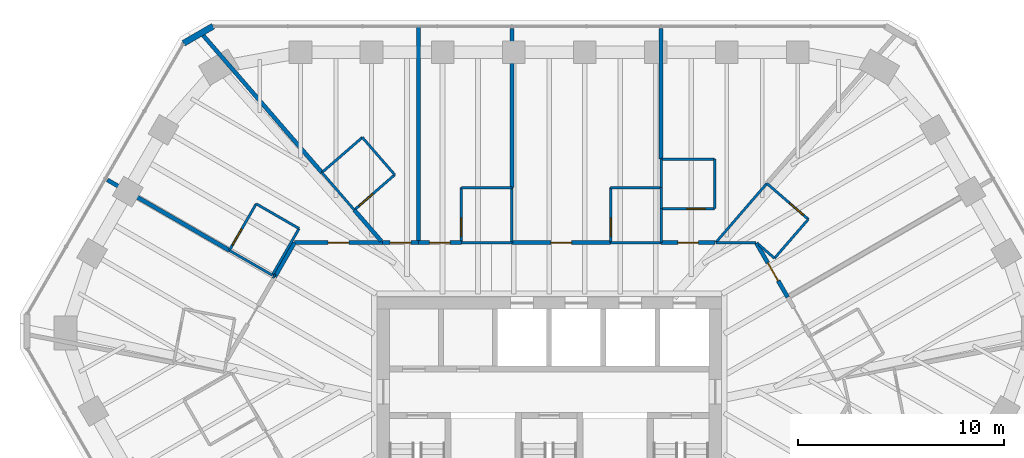
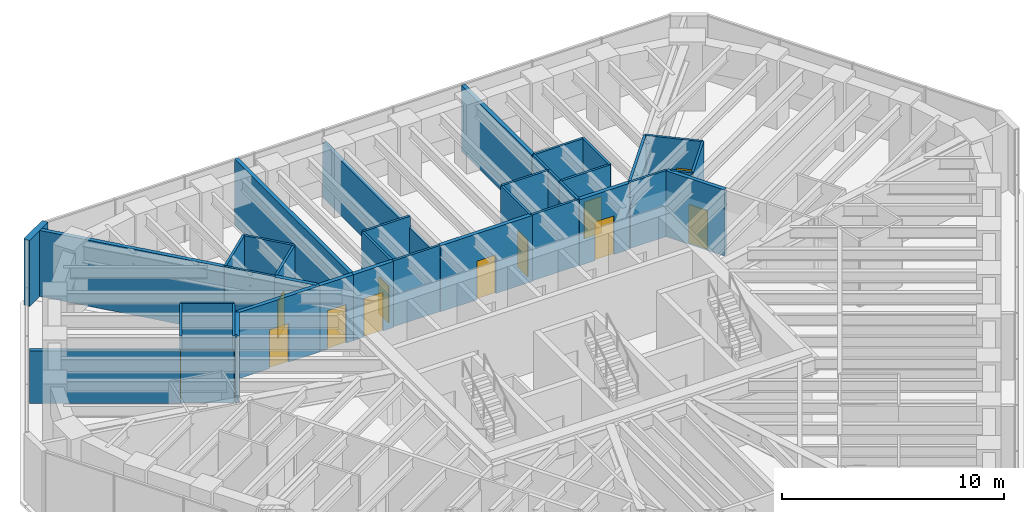
# One storey, part 12 of 14: 41 walls, 12 doors, 12 openings.
"""IFC4 building model written with IfcOpenShell, lengths in metres."""

from ifc_helpers import new_model, si_unit, direction, frame, frame_2d, origin, place, context, subcontext, project, spatial, rectangle, extrude, material, layer, layer_set, type_object, element, fill, save


model = new_model("IFC4")

# Units and contexts
model_context = context("Model", 3, precision=1e-05, world=origin(), true_north=direction((0.0, 1.0)))
body_context = subcontext(model_context, "Body", "Model", "MODEL_VIEW")
ifc_project = project(units=[si_unit("LENGTHUNIT", "METRE"), si_unit("AREAUNIT", "SQUARE_METRE"), si_unit("VOLUMEUNIT", "CUBIC_METRE"), si_unit("PLANEANGLEUNIT", "RADIAN"), si_unit("MASSUNIT", "GRAM", prefix="KILO")], contexts=[model_context])

# Site, building, storey
site_placement = place(None, origin())
site = spatial("IfcSite", under=ifc_project, at=site_placement, CompositionType="ELEMENT")
building_placement = place(site_placement, origin())
building = spatial("IfcBuilding", under=site, at=building_placement, Name="Sandreach Pilgrim Tower", CompositionType="ELEMENT")
storey_placement = place(building_placement, frame((0.0, 0.0, 283.60009765625)))
storey = spatial("IfcBuildingStorey", under=building, at=storey_placement, Name="L71", CompositionType="ELEMENT", Elevation=283.60009765625)

# Wall
ifc_material_1 = material(Name="Moisture-resistant gypsum board on steel studs", Category="steel")
ifc_layer_1 = layer(ifc_material_1, 0.1201171875)
ifc_layer_set_1 = layer_set([ifc_layer_1], Name="Bathroom partition 120")
wall_type_1 = type_object("IfcWallType", Name="Bathroom partition 120", PredefinedType="PARTITIONING", material=ifc_layer_set_1)
wall_1_placement = place(storey_placement, frame((-15.510009765625, 8.949951171875, 0.0), z_axis=(0.0, 0.0, 1.0), x_axis=(0.866202511239, -0.499693115345, 0.0)))
element("IfcWall", 1, at=wall_1_placement, inside=storey, type_object=wall_type_1, Name="Bathroom partition L71-014", PredefinedType="PARTITIONING", context=body_context, shape_type="SweptSolid", body=[
    extrude(rectangle(XDim=2.4013671875, YDim=0.1201171875, at=frame_2d((1.20068359375, 0.0))), origin(), (0.0, 0.0, 1.0), 2.8779296875),
])

# Wall, opening, door
wall_2_placement = place(storey_placement, frame((-14.2099609375, 11.2099609375, 0.0), z_axis=(0.0, 0.0, 1.0), x_axis=(-0.498627694264, -0.866816256489, 0.0)))
wall_2 = element("IfcWall", 2, at=wall_2_placement, inside=storey, type_object=wall_type_1, Name="Bathroom partition L71-021", PredefinedType="PARTITIONING", context=body_context, shape_type="SweptSolid", body=[
    extrude(rectangle(XDim=2.607177734375, YDim=0.1201171875, at=frame_2d((1.3037109375, 0.0))), origin(), (0.0, 0.0, 1.0), 3.639892578125),
])
opening_1_placement = place(wall_2_placement, frame((1.4072265625, 0.0, 0.0)))
opening_1 = element("IfcOpeningElement", 3, at=opening_1_placement, cuts=wall_2, Name="Opening D09-16B", PredefinedType="OPENING", context=body_context, shape_type="SweptSolid", body=[
    extrude(rectangle(XDim=0.89990234375, YDim=2.030029296875, at=frame_2d((0.449951171875, 1.01513671875))), frame((0.0, 0.06005859375, 0.0), z_axis=(0.0, -1.0, 0.0), x_axis=(1.0, 0.0, 0.0)), (0.0, 0.0, 1.0), 0.1201171875),
])
ifc_material_2 = material(Name="Timber door, steel frame", Category="steel")
door_type_1 = type_object("IfcDoorType", Name="Bathroom door", OperationType="SINGLE_SWING_LEFT", PredefinedType="DOOR", material=ifc_material_2)
door_1_placement = place(opening_1_placement, origin())
door_1 = element("IfcDoor", 4, at=door_1_placement, inside=storey, type_object=door_type_1, Name="Door 7116B", OperationType="SINGLE_SWING_RIGHT", OverallHeight=2.030029296875, OverallWidth=0.89990234375, PredefinedType="DOOR", context=body_context, shape_type="SweptSolid", body=[
    extrude(rectangle(XDim=0.89990234375, YDim=2.030029296875, at=frame_2d((0.449951171875, 1.01513671875))), frame((0.0, 0.02490234375, 0.0), z_axis=(0.0, -1.0, 0.0), x_axis=(1.0, 0.0, 0.0)), (0.0, 0.0, 1.0), 0.050048828125),
])
fill(opening_1, door_1)

# Walls
wall_3_placement = place(storey_placement, frame((-13.429931640625, 7.75, 0.0), z_axis=(0.0, 0.0, 1.0), x_axis=(0.498557331759, 0.866856728041, 0.0)))
element("IfcWall", 5, at=wall_3_placement, inside=storey, type_object=wall_type_1, Name="Bathroom partition L71-024", PredefinedType="PARTITIONING", context=body_context, shape_type="SweptSolid", body=[
    extrude(rectangle(XDim=2.607177734375, YDim=0.1201171875, at=frame_2d((1.3037109375, 0.0))), origin(), (0.0, 0.0, 1.0), 3.639892578125),
])
wall_4_placement = place(storey_placement, frame((-12.1298828125, 10.010009765625, 0.0), z_axis=(0.0, 0.0, 1.0), x_axis=(-0.866202511239, 0.499693115345, 0.0)))
element("IfcWall", 6, at=wall_4_placement, inside=storey, type_object=wall_type_1, Name="Bathroom partition L71-028", PredefinedType="PARTITIONING", context=body_context, shape_type="SweptSolid", body=[
    extrude(rectangle(XDim=2.4013671875, YDim=0.1201171875, at=frame_2d((1.20068359375, 0.0))), origin(), (0.0, 0.0, 1.0), 3.639892578125),
])
wall_5_placement = place(storey_placement, frame((-11.02197265625, 12.728271484375, 0.0), z_axis=(0.0, 0.0, 1.0), x_axis=(0.654005869514, -0.756489472921, 0.0)))
element("IfcWall", 7, at=wall_5_placement, inside=storey, type_object=wall_type_1, Name="Bathroom partition L71-032", PredefinedType="PARTITIONING", context=body_context, shape_type="SweptSolid", body=[
    extrude(rectangle(XDim=2.403564453125, YDim=0.1201171875, at=frame_2d((1.20166015625, 0.0))), origin(), (0.0, 0.0, 1.0), 3.639892578125),
])

# Wall, opening, door
wall_6_placement = place(storey_placement, frame((-9.449951171875, 10.909912109375, 0.0), z_axis=(0.0, 0.0, 1.0), x_axis=(0.753482987084, 0.657467404649, 0.0)))
wall_6 = element("IfcWall", 8, at=wall_6_placement, inside=storey, type_object=wall_type_1, Name="Bathroom partition L71-035", PredefinedType="PARTITIONING", context=body_context, shape_type="SweptSolid", body=[
    extrude(rectangle(XDim=2.601318359375, YDim=0.1201171875, at=frame_2d((1.30078125, 0.0))), origin(), (0.0, 0.0, 1.0), 3.639892578125),
])
opening_2_placement = place(wall_6_placement, frame((0.300048828125, 0.0, 0.0)))
opening_2 = element("IfcOpeningElement", 9, at=opening_2_placement, cuts=wall_6, Name="Opening D09-01B", PredefinedType="OPENING", context=body_context, shape_type="SweptSolid", body=[
    extrude(rectangle(XDim=0.89990234375, YDim=2.030029296875, at=frame_2d((0.449951171875, 1.01513671875))), frame((0.0, 0.06005859375, 0.0), z_axis=(0.0, -1.0, 0.0), x_axis=(1.0, 0.0, 0.0)), (0.0, 0.0, 1.0), 0.1201171875),
])
door_2_placement = place(opening_2_placement, origin())
door_2 = element("IfcDoor", 10, at=door_2_placement, inside=storey, type_object=door_type_1, Name="Door 7101B", OperationType="SINGLE_SWING_LEFT", OverallHeight=2.030029296875, OverallWidth=0.89990234375, PredefinedType="DOOR", context=body_context, shape_type="SweptSolid", body=[
    extrude(rectangle(XDim=0.89990234375, YDim=2.030029296875, at=frame_2d((0.449951171875, 1.01513671875))), frame((0.0, 0.02490234375, 0.0), z_axis=(0.0, -1.0, 0.0), x_axis=(1.0, 0.0, 0.0)), (0.0, 0.0, 1.0), 0.050048828125),
])
fill(opening_2, door_2)

# Walls
wall_7_placement = place(storey_placement, frame((-9.06005859375, 14.429931640625, 0.0), z_axis=(0.0, 0.0, 1.0), x_axis=(-0.755437535555, -0.655220672655, 0.0)))
element("IfcWall", 11, at=wall_7_placement, inside=storey, type_object=wall_type_1, Name="Bathroom partition L71-037", PredefinedType="PARTITIONING", context=body_context, shape_type="SweptSolid", body=[
    extrude(rectangle(XDim=2.594482421875, YDim=0.1201171875, at=frame_2d((1.29736328125, 0.0))), origin(), (0.0, 0.0, 1.0), 3.639892578125),
])
wall_8_placement = place(storey_placement, frame((-7.489990234375, 12.6201171875, 0.0), z_axis=(0.0, 0.0, 1.0), x_axis=(-0.655302876176, 0.755366229372, 0.0)))
element("IfcWall", 12, at=wall_8_placement, inside=storey, type_object=wall_type_1, Name="Bathroom partition L71-041", PredefinedType="PARTITIONING", context=body_context, shape_type="SweptSolid", body=[
    extrude(rectangle(XDim=2.39599609375, YDim=0.1201171875, at=frame_2d((1.197998046875, 0.0))), origin(), (0.0, 0.0, 1.0), 3.639892578125),
])
wall_9_placement = place(storey_placement, frame((-4.260009765625, 9.330078125, 0.0), z_axis=(0.0, 0.0, 1.0), x_axis=(1.0, 0.0, 0.0)))
element("IfcWall", 13, at=wall_9_placement, inside=storey, type_object=wall_type_1, Name="Bathroom partition L71-046", PredefinedType="PARTITIONING", context=body_context, shape_type="SweptSolid", body=[
    extrude(rectangle(XDim=2.449951171875, YDim=0.1201171875, at=frame_2d((1.22509765625, 0.0))), origin(), (0.0, 0.0, 1.0), 3.639892578125),
])

# Wall, opening, door
wall_10_placement = place(storey_placement, frame((-4.260009765625, 12.0, 0.0), z_axis=(0.0, 0.0, 1.0), x_axis=(0.0, -1.0, 0.0)))
wall_10 = element("IfcWall", 14, at=wall_10_placement, inside=storey, type_object=wall_type_1, Name="Bathroom partition L71-047", PredefinedType="PARTITIONING", context=body_context, shape_type="SweptSolid", body=[
    extrude(rectangle(XDim=2.669921875, YDim=0.1201171875, at=frame_2d((1.3349609375, 0.0))), origin(), (0.0, 0.0, 1.0), 3.639892578125),
])
opening_3_placement = place(wall_10_placement, frame((1.469970703125, 0.0, 0.0)))
opening_3 = element("IfcOpeningElement", 15, at=opening_3_placement, cuts=wall_10, Name="Opening D09-02B", PredefinedType="OPENING", context=body_context, shape_type="SweptSolid", body=[
    extrude(rectangle(XDim=0.89990234375, YDim=2.030029296875, at=frame_2d((0.449951171875, 1.01513671875))), frame((0.0, 0.06005859375, 0.0), z_axis=(0.0, -1.0, 0.0), x_axis=(1.0, 0.0, 0.0)), (0.0, 0.0, 1.0), 0.1201171875),
])
door_3_placement = place(opening_3_placement, origin())
door_3 = element("IfcDoor", 16, at=door_3_placement, inside=storey, type_object=door_type_1, Name="Door 7102B", OperationType="SINGLE_SWING_RIGHT", OverallHeight=2.030029296875, OverallWidth=0.89990234375, PredefinedType="DOOR", context=body_context, shape_type="SweptSolid", body=[
    extrude(rectangle(XDim=0.89990234375, YDim=2.030029296875, at=frame_2d((0.449951171875, 1.01513671875))), frame((0.0, 0.02490234375, 0.0), z_axis=(0.0, -1.0, 0.0), x_axis=(1.0, 0.0, 0.0)), (0.0, 0.0, 1.0), 0.050048828125),
])
fill(opening_3, door_3)

# Walls
wall_11_placement = place(storey_placement, frame((-1.81005859375, 12.0, 0.0), z_axis=(0.0, 0.0, 1.0), x_axis=(-1.0, 0.0, 0.0)))
element("IfcWall", 17, at=wall_11_placement, inside=storey, type_object=wall_type_1, Name="Bathroom partition L71-054", PredefinedType="PARTITIONING", context=body_context, shape_type="SweptSolid", body=[
    extrude(rectangle(XDim=2.449951171875, YDim=0.1201171875, at=frame_2d((1.22509765625, 0.0))), origin(), (0.0, 0.0, 1.0), 3.639892578125),
])
wall_12_placement = place(storey_placement, frame((-1.81005859375, 12.0, 0.0), z_axis=(0.0, 0.0, 1.0), x_axis=(0.0, -1.0, 0.0)))
element("IfcWall", 18, at=wall_12_placement, inside=storey, type_object=wall_type_1, Name="Bathroom partition L71-055", PredefinedType="PARTITIONING", context=body_context, shape_type="SweptSolid", body=[
    extrude(rectangle(XDim=2.669921875, YDim=0.1201171875, at=frame_2d((1.3349609375, 0.0))), origin(), (0.0, 0.0, 1.0), 3.022705078125),
])

# Wall, opening, door
wall_13_placement = place(storey_placement, frame((2.97998046875, 12.0, 0.0), z_axis=(0.0, 0.0, 1.0), x_axis=(0.0, -1.0, 0.0)))
wall_13 = element("IfcWall", 19, at=wall_13_placement, inside=storey, type_object=wall_type_1, Name="Bathroom partition L71-068", PredefinedType="PARTITIONING", context=body_context, shape_type="SweptSolid", body=[
    extrude(rectangle(XDim=2.669921875, YDim=0.1201171875, at=frame_2d((1.3349609375, 0.0))), origin(), (0.0, 0.0, 1.0), 3.639892578125),
])
opening_4_placement = place(wall_13_placement, frame((1.469970703125, 0.0, 0.0)))
opening_4 = element("IfcOpeningElement", 20, at=opening_4_placement, cuts=wall_13, Name="Opening D09-03B", PredefinedType="OPENING", context=body_context, shape_type="SweptSolid", body=[
    extrude(rectangle(XDim=0.89990234375, YDim=2.030029296875, at=frame_2d((0.449951171875, 1.01513671875))), frame((0.0, 0.06005859375, 0.0), z_axis=(0.0, -1.0, 0.0), x_axis=(1.0, 0.0, 0.0)), (0.0, 0.0, 1.0), 0.1201171875),
])
door_4_placement = place(opening_4_placement, origin())
door_4 = element("IfcDoor", 21, at=door_4_placement, inside=storey, type_object=door_type_1, Name="Door 7103B", OperationType="SINGLE_SWING_RIGHT", OverallHeight=2.030029296875, OverallWidth=0.89990234375, PredefinedType="DOOR", context=body_context, shape_type="SweptSolid", body=[
    extrude(rectangle(XDim=0.89990234375, YDim=2.030029296875, at=frame_2d((0.449951171875, 1.01513671875))), frame((0.0, 0.02490234375, 0.0), z_axis=(0.0, -1.0, 0.0), x_axis=(1.0, 0.0, 0.0)), (0.0, 0.0, 1.0), 0.050048828125),
])
fill(opening_4, door_4)

# Walls
wall_14_placement = place(storey_placement, frame((5.429931640625, 9.330078125, 0.0), z_axis=(0.0, 0.0, 1.0), x_axis=(-1.0, 0.0, 0.0)))
element("IfcWall", 22, at=wall_14_placement, inside=storey, type_object=wall_type_1, Name="Bathroom partition L71-074", PredefinedType="PARTITIONING", context=body_context, shape_type="SweptSolid", body=[
    extrude(rectangle(XDim=2.449951171875, YDim=0.1201171875, at=frame_2d((1.22509765625, 0.0))), origin(), (0.0, 0.0, 1.0), 3.639892578125),
])
wall_15_placement = place(storey_placement, frame((5.429931640625, 10.97998046875, 0.0), z_axis=(0.0, 0.0, 1.0), x_axis=(0.0, -1.0, 0.0)))
element("IfcWall", 23, at=wall_15_placement, inside=storey, type_object=wall_type_1, Name="Bathroom partition L71-075", PredefinedType="PARTITIONING", context=body_context, shape_type="SweptSolid", body=[
    extrude(rectangle(XDim=1.64990234375, YDim=0.1201171875, at=frame_2d((0.824951171875, 0.0))), origin(), (0.0, 0.0, 1.0), 3.639892578125),
])

# Wall, opening, door
wall_16_placement = place(storey_placement, frame((5.429931640625, 10.97998046875, 0.0), z_axis=(0.0, 0.0, 1.0), x_axis=(1.0, 0.0, 0.0)))
wall_16 = element("IfcWall", 24, at=wall_16_placement, inside=storey, type_object=wall_type_1, Name="Bathroom partition L71-076", PredefinedType="PARTITIONING", context=body_context, shape_type="SweptSolid", body=[
    extrude(rectangle(XDim=2.60009765625, YDim=0.1201171875, at=frame_2d((1.300048828125, 0.0))), origin(), (0.0, 0.0, 1.0), 3.639892578125),
])
opening_5_placement = place(wall_16_placement, frame((1.25, 0.0, 0.0)))
opening_5 = element("IfcOpeningElement", 25, at=opening_5_placement, cuts=wall_16, Name="Opening D09-04B", PredefinedType="OPENING", context=body_context, shape_type="SweptSolid", body=[
    extrude(rectangle(XDim=0.89990234375, YDim=2.030029296875, at=frame_2d((0.449951171875, 1.01513671875))), frame((0.0, 0.06005859375, 0.0), z_axis=(0.0, -1.0, 0.0), x_axis=(1.0, 0.0, 0.0)), (0.0, 0.0, 1.0), 0.1201171875),
])
door_5_placement = place(opening_5_placement, origin())
door_5 = element("IfcDoor", 26, at=door_5_placement, inside=storey, type_object=door_type_1, Name="Door 7104B", OperationType="SINGLE_SWING_RIGHT", OverallHeight=2.030029296875, OverallWidth=0.89990234375, PredefinedType="DOOR", context=body_context, shape_type="SweptSolid", body=[
    extrude(rectangle(XDim=0.89990234375, YDim=2.030029296875, at=frame_2d((0.449951171875, 1.01513671875))), frame((0.0, 0.02490234375, 0.0), z_axis=(0.0, -1.0, 0.0), x_axis=(1.0, 0.0, 0.0)), (0.0, 0.0, 1.0), 0.050048828125),
])
fill(opening_5, door_5)

# Walls
wall_17_placement = place(storey_placement, frame((5.429931640625, 12.0, 0.0), z_axis=(0.0, 0.0, 1.0), x_axis=(-1.0, 0.0, 0.0)))
element("IfcWall", 27, at=wall_17_placement, inside=storey, type_object=wall_type_1, Name="Bathroom partition L71-077", PredefinedType="PARTITIONING", context=body_context, shape_type="SweptSolid", body=[
    extrude(rectangle(XDim=2.449951171875, YDim=0.1201171875, at=frame_2d((1.22509765625, 0.0))), origin(), (0.0, 0.0, 1.0), 3.639892578125),
])
wall_18_placement = place(storey_placement, frame((5.429931640625, 12.0, 0.0), z_axis=(0.0, 0.0, 1.0), x_axis=(0.0, -1.0, 0.0)))
element("IfcWall", 28, at=wall_18_placement, inside=storey, type_object=wall_type_1, Name="Bathroom partition L71-078", PredefinedType="PARTITIONING", context=body_context, shape_type="SweptSolid", body=[
    extrude(rectangle(XDim=1.02001953125, YDim=0.1201171875, at=frame_2d((0.510009765625, 0.0))), origin(), (0.0, 0.0, 1.0), 3.639892578125),
])
wall_19_placement = place(storey_placement, frame((5.429931640625, 13.3798828125, 0.0), z_axis=(0.0, 0.0, 1.0), x_axis=(0.0, -1.0, 0.0)))
element("IfcWall", 29, at=wall_19_placement, inside=storey, type_object=wall_type_1, Name="Bathroom partition L71-079", PredefinedType="PARTITIONING", context=body_context, shape_type="SweptSolid", body=[
    extrude(rectangle(XDim=1.3798828125, YDim=0.1201171875, at=frame_2d((0.68994140625, 0.0))), origin(), (0.0, 0.0, 1.0), 3.639892578125),
])
wall_20_placement = place(storey_placement, frame((8.030029296875, 10.97998046875, 0.0), z_axis=(0.0, 0.0, 1.0), x_axis=(0.0, 1.0, 0.0)))
element("IfcWall", 30, at=wall_20_placement, inside=storey, type_object=wall_type_1, Name="Bathroom partition L71-090", PredefinedType="PARTITIONING", context=body_context, shape_type="SweptSolid", body=[
    extrude(rectangle(XDim=2.39990234375, YDim=0.1201171875, at=frame_2d((1.199951171875, 0.0))), origin(), (0.0, 0.0, 1.0), 3.639892578125),
])
wall_21_placement = place(storey_placement, frame((8.030029296875, 13.3798828125, 0.0), z_axis=(0.0, 0.0, 1.0), x_axis=(-1.0, 0.0, 0.0)))
element("IfcWall", 31, at=wall_21_placement, inside=storey, type_object=wall_type_1, Name="Bathroom partition L71-091", PredefinedType="PARTITIONING", context=body_context, shape_type="SweptSolid", body=[
    extrude(rectangle(XDim=2.60009765625, YDim=0.1201171875, at=frame_2d((1.300048828125, 0.0))), origin(), (0.0, 0.0, 1.0), 3.639892578125),
])
wall_22_placement = place(storey_placement, frame((8.080078125, 9.330078125, 0.0), z_axis=(0.0, 0.0, 1.0), x_axis=(0.653839376009, 0.756633379108, 0.0)))
element("IfcWall", 32, at=wall_22_placement, inside=storey, type_object=wall_type_1, Name="Bathroom partition L71-093", PredefinedType="PARTITIONING", context=body_context, shape_type="SweptSolid", body=[
    extrude(rectangle(XDim=3.79296875, YDim=0.1201171875, at=frame_2d((1.896484375, 0.0))), origin(), (0.0, 0.0, 1.0), 3.639892578125),
])
wall_23_placement = place(storey_placement, frame((10.0400390625, 9.330078125, 0.0), z_axis=(0.0, 0.0, 1.0), x_axis=(-1.0, 0.0, 0.0)))
element("IfcWall", 33, at=wall_23_placement, inside=storey, type_object=wall_type_1, Name="Bathroom partition L71-097", PredefinedType="PARTITIONING", context=body_context, shape_type="SweptSolid", body=[
    extrude(rectangle(XDim=1.93505859375, YDim=0.1201171875, at=frame_2d((0.967529296875, 0.0))), origin(), (0.0, 0.0, 1.0), 3.639892578125),
])
wall_24_placement = place(storey_placement, frame((10.1728515625, 9.231201171875, 0.0), z_axis=(0.0, 0.0, 1.0), x_axis=(0.753223340044, -0.657764851609, 0.0)))
element("IfcWall", 34, at=wall_24_placement, inside=storey, type_object=wall_type_1, Name="Bathroom partition L71-099", PredefinedType="PARTITIONING", context=body_context, shape_type="SweptSolid", body=[
    extrude(rectangle(XDim=1.005126953125, YDim=0.1201171875, at=frame_2d((0.50244140625, 0.0))), origin(), (0.0, 0.0, 1.0), 3.639892578125),
])
wall_25_placement = place(storey_placement, frame((10.929931640625, 8.570068359375, 0.0), z_axis=(0.0, 0.0, 1.0), x_axis=(0.655439261345, 0.755247889561, 0.0)))
element("IfcWall", 35, at=wall_25_placement, inside=storey, type_object=wall_type_1, Name="Bathroom partition L71-101", PredefinedType="PARTITIONING", context=body_context, shape_type="SweptSolid", body=[
    extrude(rectangle(XDim=2.50244140625, YDim=0.1201171875, at=frame_2d((1.251220703125, 0.0))), origin(), (0.0, 0.0, 1.0), 3.639892578125),
])

# Wall, opening, door
wall_26_placement = place(storey_placement, frame((12.570068359375, 10.4599609375, 0.0), z_axis=(0.0, 0.0, 1.0), x_axis=(-0.756064683054, 0.654496902238, 0.0)))
wall_26 = element("IfcWall", 36, at=wall_26_placement, inside=storey, type_object=wall_type_1, Name="Bathroom partition L71-105", PredefinedType="PARTITIONING", context=body_context, shape_type="SweptSolid", body=[
    extrude(rectangle(XDim=2.658447265625, YDim=0.1201171875, at=frame_2d((1.3291015625, 0.0))), origin(), (0.0, 0.0, 1.0), 3.639892578125),
])
opening_6_placement = place(wall_26_placement, frame((0.300048828125, 0.0, 0.0)))
opening_6 = element("IfcOpeningElement", 37, at=opening_6_placement, cuts=wall_26, Name="Opening D09-05B", PredefinedType="OPENING", context=body_context, shape_type="SweptSolid", body=[
    extrude(rectangle(XDim=0.89990234375, YDim=2.030029296875, at=frame_2d((0.449951171875, 1.01513671875))), frame((0.0, 0.06005859375, 0.0), z_axis=(0.0, -1.0, 0.0), x_axis=(1.0, 0.0, 0.0)), (0.0, 0.0, 1.0), 0.1201171875),
])
door_6_placement = place(opening_6_placement, origin())
door_6 = element("IfcDoor", 38, at=door_6_placement, inside=storey, type_object=door_type_1, Name="Door 7105B", OperationType="SINGLE_SWING_LEFT", OverallHeight=2.030029296875, OverallWidth=0.89990234375, PredefinedType="DOOR", context=body_context, shape_type="SweptSolid", body=[
    extrude(rectangle(XDim=0.89990234375, YDim=2.030029296875, at=frame_2d((0.449951171875, 1.01513671875))), frame((0.0, 0.02490234375, 0.0), z_axis=(0.0, -1.0, 0.0), x_axis=(1.0, 0.0, 0.0)), (0.0, 0.0, 1.0), 0.050048828125),
])
fill(opening_6, door_6)

# Wall
ifc_material_3 = material(Name="Gypsum board on steel studs, two layers each side", Category="steel")
ifc_layer_2 = layer(ifc_material_3, 0.199951171875)
ifc_layer_set_2 = layer_set([ifc_layer_2], Name="Corridor wall 200")
wall_type_2 = type_object("IfcWallType", Name="Corridor wall 200", PredefinedType="PARTITIONING", material=ifc_layer_set_2)
wall_27_placement = place(storey_placement, frame((-13.300048828125, 7.679931640625, 0.0), z_axis=(0.0, 0.0, 1.0), x_axis=(0.498911917133, 0.866652697996, 0.0)))
element("IfcWall", 39, at=wall_27_placement, inside=storey, type_object=wall_type_2, Name="Corridor wall L71-026", PredefinedType="PARTITIONING", context=body_context, shape_type="SweptSolid", body=[
    extrude(rectangle(XDim=1.904052734375, YDim=0.199951171875, at=frame_2d((0.9521484375, 0.0))), origin(), (0.0, 0.0, 1.0), 3.639892578125),
])

# Wall, opening, door
wall_28_placement = place(storey_placement, frame((-8.080078125, 9.330078125, 0.0), z_axis=(0.0, 0.0, 1.0), x_axis=(-1.0, 0.0, 0.0)))
wall_28 = element("IfcWall", 40, at=wall_28_placement, inside=storey, type_object=wall_type_2, Name="Corridor wall L71-040", PredefinedType="PARTITIONING", context=body_context, shape_type="SweptSolid", body=[
    extrude(rectangle(XDim=4.27001953125, YDim=0.199951171875, at=frame_2d((2.135009765625, 0.0))), origin(), (0.0, 0.0, 1.0), 3.639892578125),
])
opening_7_placement = place(wall_28_placement, frame((1.635009765625, 0.0, 0.0)))
opening_7 = element("IfcOpeningElement", 41, at=opening_7_placement, cuts=wall_28, Name="Opening D10-16", PredefinedType="OPENING", context=body_context, shape_type="SweptSolid", body=[
    extrude(rectangle(XDim=1.0, YDim=2.1298828125, at=frame_2d((0.5, 1.06494140625))), frame((0.0, 0.10009765625, 0.0), z_axis=(0.0, -1.0, 0.0), x_axis=(1.0, 0.0, 0.0)), (0.0, 0.0, 1.0), 0.199951171875),
])
ifc_material_4 = material(Name="Steel door and frame", Category="steel")
door_type_2 = type_object("IfcDoorType", Name="Guest room entry door", OperationType="SINGLE_SWING_LEFT", PredefinedType="DOOR", material=ifc_material_4)
door_7_placement = place(opening_7_placement, origin())
door_7 = element("IfcDoor", 42, at=door_7_placement, inside=storey, type_object=door_type_2, Name="Door 7116", OperationType="SINGLE_SWING_LEFT", OverallHeight=2.1298828125, OverallWidth=1.0, PredefinedType="DOOR", context=body_context, shape_type="SweptSolid", body=[
    extrude(rectangle(XDim=1.0, YDim=2.1298828125, at=frame_2d((0.5, 1.06494140625))), frame((0.0, 0.02490234375, 0.0), z_axis=(0.0, -1.0, 0.0), x_axis=(1.0, 0.0, 0.0)), (0.0, 0.0, 1.0), 0.050048828125),
])
fill(opening_7, door_7)

wall_29_placement = place(storey_placement, frame((-6.340087890625, 9.330078125, 0.0), z_axis=(0.0, 0.0, 1.0), x_axis=(-1.0, 0.0, 0.0)))
wall_29 = element("IfcWall", 43, at=wall_29_placement, inside=storey, type_object=wall_type_2, Name="Corridor wall L71-042", PredefinedType="PARTITIONING", context=body_context, shape_type="SweptSolid", body=[
    extrude(rectangle(XDim=1.739990234375, YDim=0.199951171875, at=frame_2d((0.8701171875, 0.0))), origin(), (0.0, 0.0, 1.0), 3.639892578125),
])
opening_8_placement = place(wall_29_placement, frame((0.3701171875, 0.0, 0.0)))
opening_8 = element("IfcOpeningElement", 44, at=opening_8_placement, cuts=wall_29, Name="Opening D10-01", PredefinedType="OPENING", context=body_context, shape_type="SweptSolid", body=[
    extrude(rectangle(XDim=1.0, YDim=2.1298828125, at=frame_2d((0.5, 1.06494140625))), frame((0.0, 0.10009765625, 0.0), z_axis=(0.0, -1.0, 0.0), x_axis=(1.0, 0.0, 0.0)), (0.0, 0.0, 1.0), 0.199951171875),
])
door_8_placement = place(opening_8_placement, origin())
door_8 = element("IfcDoor", 45, at=door_8_placement, inside=storey, type_object=door_type_2, Name="Door 7101", OperationType="SINGLE_SWING_LEFT", OverallHeight=2.1298828125, OverallWidth=1.0, PredefinedType="DOOR", context=body_context, shape_type="SweptSolid", body=[
    extrude(rectangle(XDim=1.0, YDim=2.1298828125, at=frame_2d((0.5, 1.06494140625))), frame((0.0, 0.02490234375, 0.0), z_axis=(0.0, -1.0, 0.0), x_axis=(1.0, 0.0, 0.0)), (0.0, 0.0, 1.0), 0.050048828125),
])
fill(opening_8, door_8)

wall_30_placement = place(storey_placement, frame((-4.260009765625, 9.330078125, 0.0), z_axis=(0.0, 0.0, 1.0), x_axis=(-1.0, 0.0, 0.0)))
wall_30 = element("IfcWall", 46, at=wall_30_placement, inside=storey, type_object=wall_type_2, Name="Corridor wall L71-045", PredefinedType="PARTITIONING", context=body_context, shape_type="SweptSolid", body=[
    extrude(rectangle(XDim=2.080078125, YDim=0.199951171875, at=frame_2d((1.0400390625, 0.0))), origin(), (0.0, 0.0, 1.0), 3.639892578125),
])
opening_9_placement = place(wall_30_placement, frame((0.5400390625, 0.0, 0.0)))
opening_9 = element("IfcOpeningElement", 47, at=opening_9_placement, cuts=wall_30, Name="Opening D10-02", PredefinedType="OPENING", context=body_context, shape_type="SweptSolid", body=[
    extrude(rectangle(XDim=1.0, YDim=2.1298828125, at=frame_2d((0.5, 1.06494140625))), frame((0.0, 0.10009765625, 0.0), z_axis=(0.0, -1.0, 0.0), x_axis=(1.0, 0.0, 0.0)), (0.0, 0.0, 1.0), 0.199951171875),
])
door_9_placement = place(opening_9_placement, origin())
door_9 = element("IfcDoor", 48, at=door_9_placement, inside=storey, type_object=door_type_2, Name="Door 7102", OperationType="SINGLE_SWING_LEFT", OverallHeight=2.1298828125, OverallWidth=1.0, PredefinedType="DOOR", context=body_context, shape_type="SweptSolid", body=[
    extrude(rectangle(XDim=1.0, YDim=2.1298828125, at=frame_2d((0.5, 1.06494140625))), frame((0.0, 0.02490234375, 0.0), z_axis=(0.0, -1.0, 0.0), x_axis=(1.0, 0.0, 0.0)), (0.0, 0.0, 1.0), 0.050048828125),
])
fill(opening_9, door_9)

wall_31_placement = place(storey_placement, frame((2.97998046875, 9.330078125, 0.0), z_axis=(0.0, 0.0, 1.0), x_axis=(-1.0, 0.0, 0.0)))
wall_31 = element("IfcWall", 49, at=wall_31_placement, inside=storey, type_object=wall_type_2, Name="Corridor wall L71-067", PredefinedType="PARTITIONING", context=body_context, shape_type="SweptSolid", body=[
    extrude(rectangle(XDim=4.7900390625, YDim=0.199951171875, at=frame_2d((2.39501953125, 0.0))), origin(), (0.0, 0.0, 1.0), 3.639892578125),
])
opening_10_placement = place(wall_31_placement, frame((1.89501953125, 0.0, 0.0)))
opening_10 = element("IfcOpeningElement", 50, at=opening_10_placement, cuts=wall_31, Name="Opening D10-03", PredefinedType="OPENING", context=body_context, shape_type="SweptSolid", body=[
    extrude(rectangle(XDim=1.0, YDim=2.1298828125, at=frame_2d((0.5, 1.06494140625))), frame((0.0, 0.10009765625, 0.0), z_axis=(0.0, -1.0, 0.0), x_axis=(1.0, 0.0, 0.0)), (0.0, 0.0, 1.0), 0.199951171875),
])
door_10_placement = place(opening_10_placement, origin())
door_10 = element("IfcDoor", 51, at=door_10_placement, inside=storey, type_object=door_type_2, Name="Door 7103", OperationType="SINGLE_SWING_LEFT", OverallHeight=2.1298828125, OverallWidth=1.0, PredefinedType="DOOR", context=body_context, shape_type="SweptSolid", body=[
    extrude(rectangle(XDim=1.0, YDim=2.1298828125, at=frame_2d((0.5, 1.06494140625))), frame((0.0, 0.02490234375, 0.0), z_axis=(0.0, -1.0, 0.0), x_axis=(1.0, 0.0, 0.0)), (0.0, 0.0, 1.0), 0.050048828125),
])
fill(opening_10, door_10)

wall_32_placement = place(storey_placement, frame((8.050048828125, 9.330078125, 0.0), z_axis=(0.0, 0.0, 1.0), x_axis=(-1.0, 0.0, 0.0)))
wall_32 = element("IfcWall", 52, at=wall_32_placement, inside=storey, type_object=wall_type_2, Name="Corridor wall L71-092", PredefinedType="PARTITIONING", context=body_context, shape_type="SweptSolid", body=[
    extrude(rectangle(XDim=2.6201171875, YDim=0.199951171875, at=frame_2d((1.31005859375, 0.0))), origin(), (0.0, 0.0, 1.0), 3.639892578125),
])
opening_11_placement = place(wall_32_placement, frame((0.81005859375, 0.0, 0.0)))
opening_11 = element("IfcOpeningElement", 53, at=opening_11_placement, cuts=wall_32, Name="Opening D10-04", PredefinedType="OPENING", context=body_context, shape_type="SweptSolid", body=[
    extrude(rectangle(XDim=1.0, YDim=2.1298828125, at=frame_2d((0.5, 1.06494140625))), frame((0.0, 0.10009765625, 0.0), z_axis=(0.0, -1.0, 0.0), x_axis=(1.0, 0.0, 0.0)), (0.0, 0.0, 1.0), 0.199951171875),
])
door_11_placement = place(opening_11_placement, origin())
door_11 = element("IfcDoor", 54, at=door_11_placement, inside=storey, type_object=door_type_2, Name="Door 7104", OperationType="SINGLE_SWING_LEFT", OverallHeight=2.1298828125, OverallWidth=1.0, PredefinedType="DOOR", context=body_context, shape_type="SweptSolid", body=[
    extrude(rectangle(XDim=1.0, YDim=2.1298828125, at=frame_2d((0.5, 1.06494140625))), frame((0.0, 0.02490234375, 0.0), z_axis=(0.0, -1.0, 0.0), x_axis=(1.0, 0.0, 0.0)), (0.0, 0.0, 1.0), 0.050048828125),
])
fill(opening_11, door_11)

wall_33_placement = place(storey_placement, frame((10.050048828125, 9.31005859375, 0.0), z_axis=(0.0, 0.0, 1.0), x_axis=(0.500374001214, -0.865809366379, 0.0)))
wall_33 = element("IfcWall", 55, at=wall_33_placement, inside=storey, type_object=wall_type_2, Name="Corridor wall L71-098", PredefinedType="PARTITIONING", context=body_context, shape_type="SweptSolid", body=[
    extrude(rectangle(XDim=3.037841796875, YDim=0.199951171875, at=frame_2d((1.51904296875, 0.0))), origin(), (0.0, 0.0, 1.0), 3.639892578125),
])
opening_12_placement = place(wall_33_placement, frame((1.118896484375, 0.0, 0.0)))
opening_12 = element("IfcOpeningElement", 56, at=opening_12_placement, cuts=wall_33, Name="Opening D10-05", PredefinedType="OPENING", context=body_context, shape_type="SweptSolid", body=[
    extrude(rectangle(XDim=1.0, YDim=2.1298828125, at=frame_2d((0.5, 1.06494140625))), frame((0.0, 0.10009765625, 0.0), z_axis=(0.0, -1.0, 0.0), x_axis=(1.0, 0.0, 0.0)), (0.0, 0.0, 1.0), 0.199951171875),
])
door_12_placement = place(opening_12_placement, origin())
door_12 = element("IfcDoor", 57, at=door_12_placement, inside=storey, type_object=door_type_2, Name="Door 7105", OperationType="SINGLE_SWING_RIGHT", OverallHeight=2.1298828125, OverallWidth=1.0, PredefinedType="DOOR", context=body_context, shape_type="SweptSolid", body=[
    extrude(rectangle(XDim=1.0, YDim=2.1298828125, at=frame_2d((0.5, 1.06494140625))), frame((0.0, 0.02490234375, 0.0), z_axis=(0.0, -1.0, 0.0), x_axis=(1.0, 0.0, 0.0)), (0.0, 0.0, 1.0), 0.050048828125),
])
fill(opening_12, door_12)

# Walls
ifc_material_5 = material(Name="Double steel stud acoustic wall, gypsum board", Category="steel")
ifc_layer_3 = layer(ifc_material_5, 0.199951171875)
ifc_layer_set_3 = layer_set([ifc_layer_3], Name="Party wall 200")
wall_type_3 = type_object("IfcWallType", Name="Party wall 200", PredefinedType="PARTITIONING", material=ifc_layer_set_3)
wall_34_placement = place(storey_placement, frame((-21.426025390625, 12.369873046875, 0.0), z_axis=(0.0, 0.0, 1.0), x_axis=(0.86575224659, -0.500472823962, 0.0)))
element("IfcWall", 58, at=wall_34_placement, inside=storey, type_object=wall_type_3, Name="Party wall L71-001", PredefinedType="PARTITIONING", context=body_context, shape_type="SweptSolid", body=[
    extrude(rectangle(XDim=6.83349609375, YDim=0.199951171875, at=frame_2d((3.416748046875, 0.0))), origin(), (0.0, 0.0, 1.0), 2.8779296875),
])
wall_35_placement = place(storey_placement, frame((-16.890380859375, 19.50732421875, 0.0), z_axis=(0.0, 0.0, 1.0), x_axis=(0.654499193584, -0.756062699515, 0.0)))
element("IfcWall", 59, at=wall_35_placement, inside=storey, type_object=wall_type_3, Name="Party wall L71-007", PredefinedType="PARTITIONING", context=body_context, shape_type="SweptSolid", body=[
    extrude(rectangle(XDim=8.96630859375, YDim=0.199951171875, at=frame_2d((4.483154296875, 0.0))), origin(), (0.0, 0.0, 1.0), 3.639892578125),
])
wall_36_placement = place(storey_placement, frame((-13.377197265625, 7.721435546875, 0.0), z_axis=(0.0, 0.0, 1.0), x_axis=(0.880650010303, -0.473767410606, 0.0)))
element("IfcWall", 60, at=wall_36_placement, inside=storey, type_object=wall_type_3, Name="Party wall L71-025", PredefinedType="PARTITIONING", context=body_context, shape_type="SweptSolid", body=[
    extrude(rectangle(XDim=0.087646484375, YDim=0.199951171875, at=frame_2d((0.0439453125, 0.0))), origin(), (0.0, 0.0, 1.0), 3.639892578125),
])
wall_37_placement = place(storey_placement, frame((-9.449951171875, 10.909912109375, 0.0), z_axis=(0.0, 0.0, 1.0), x_axis=(0.655103686609, -0.755538986282, 0.0)))
element("IfcWall", 61, at=wall_37_placement, inside=storey, type_object=wall_type_3, Name="Party wall L71-034", PredefinedType="PARTITIONING", context=body_context, shape_type="SweptSolid", body=[
    extrude(rectangle(XDim=1.986083984375, YDim=0.199951171875, at=frame_2d((0.9931640625, 0.0))), origin(), (0.0, 0.0, 1.0), 3.639892578125),
])
wall_38_placement = place(storey_placement, frame((-6.340087890625, 19.800048828125, 0.0), z_axis=(0.0, 0.0, 1.0), x_axis=(0.0, -1.0, 0.0)))
element("IfcWall", 62, at=wall_38_placement, inside=storey, type_object=wall_type_3, Name="Party wall L71-043", PredefinedType="PARTITIONING", context=body_context, shape_type="SweptSolid", body=[
    extrude(rectangle(XDim=10.455078125, YDim=0.199951171875, at=frame_2d((5.2275390625, 0.0))), origin(), (0.0, 0.0, 1.0), 3.639892578125),
])
wall_39_placement = place(storey_placement, frame((-1.81005859375, 19.7099609375, 0.0), z_axis=(0.0, 0.0, 1.0), x_axis=(0.0, -1.0, 0.0)))
element("IfcWall", 63, at=wall_39_placement, inside=storey, type_object=wall_type_3, Name="Party wall L71-056", PredefinedType="PARTITIONING", context=body_context, shape_type="SweptSolid", body=[
    extrude(rectangle(XDim=7.7099609375, YDim=0.199951171875, at=frame_2d((3.85498046875, 0.0))), origin(), (0.0, 0.0, 1.0), 3.022705078125),
])
wall_40_placement = place(storey_placement, frame((5.429931640625, 19.7099609375, 0.0), z_axis=(0.0, 0.0, 1.0), x_axis=(0.0, -1.0, 0.0)))
element("IfcWall", 64, at=wall_40_placement, inside=storey, type_object=wall_type_3, Name="Party wall L71-080", PredefinedType="PARTITIONING", context=body_context, shape_type="SweptSolid", body=[
    extrude(rectangle(XDim=6.330078125, YDim=0.199951171875, at=frame_2d((3.1650390625, 0.0))), origin(), (0.0, 0.0, 1.0), 3.639892578125),
])
ifc_material_6 = material(Name="Terracotta rainscreen on concrete", Category="masonry")
ifc_layer_4 = layer(ifc_material_6, 0.300048828125)
ifc_layer_set_4 = layer_set([ifc_layer_4], Name="Terracotta chamfer pier")
wall_type_4 = type_object("IfcWallType", Name="Terracotta chamfer pier", PredefinedType="SOLIDWALL", material=ifc_layer_set_4)
wall_41_placement = place(storey_placement, frame((-17.736083984375, 18.996337890625, 0.0), z_axis=(0.0, 0.0, 1.0), x_axis=(0.866026405774, 0.499998264499, 0.0)))
element("IfcWall", 65, at=wall_41_placement, inside=storey, type_object=wall_type_4, Name="Chamfer pier L71 NW", PredefinedType="SOLIDWALL", context=body_context, shape_type="SweptSolid", body=[
    extrude(rectangle(XDim=1.66015625, YDim=0.300048828125, at=frame_2d((0.830078125, 0.0))), origin(), (0.0, 0.0, 1.0), 3.639892578125),
])

save(model, "model.ifc")
